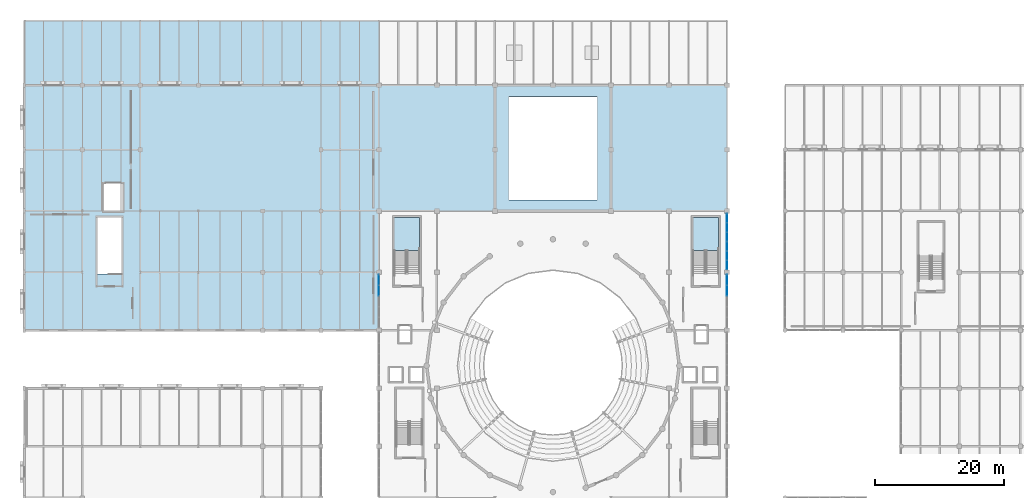
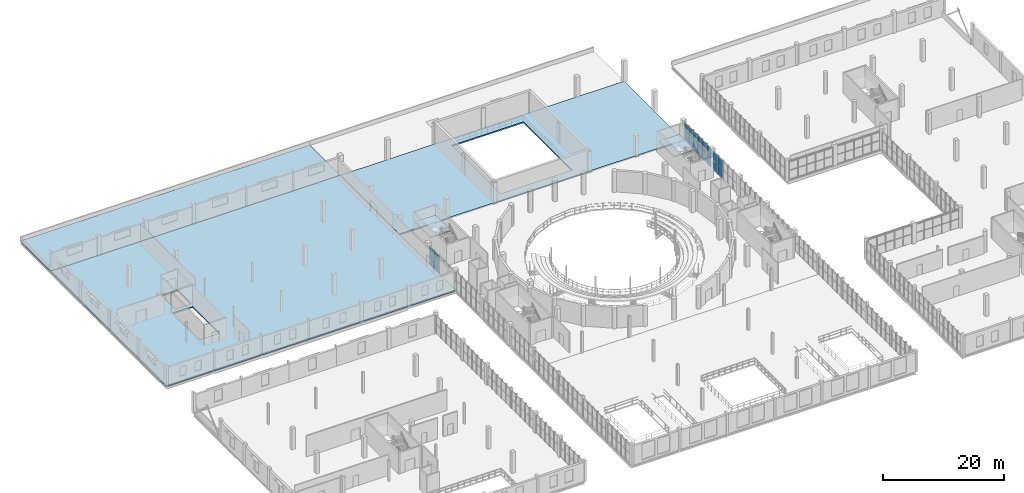
# One storey, part 55 of 85: 20 plates, 5 slabs, 5 elements without a shape of their own.
"""IFC4 building model written with IfcOpenShell, lengths in metres."""

from ifc_helpers import new_model, si_unit, direction, frame, origin, origin_2d, place, context, subcontext, project, spatial, polyline, rectangle, outline, extrude, material, layer, layer_set, type_object, element, aggregate, save


model = new_model("IFC4")

# Units and contexts
model_context = context("Model", 3, precision=1e-05, world=origin(), true_north=direction((0.0, 1.0)))
body_context = subcontext(model_context, "Body", "Model", "MODEL_VIEW")
ifc_project = project(units=[si_unit("LENGTHUNIT", "METRE"), si_unit("AREAUNIT", "SQUARE_METRE"), si_unit("VOLUMEUNIT", "CUBIC_METRE"), si_unit("PLANEANGLEUNIT", "RADIAN"), si_unit("MASSUNIT", "GRAM", prefix="KILO")], contexts=[model_context])

# Site, building, storey
site_placement = place(None, origin())
site = spatial("IfcSite", under=ifc_project, at=site_placement, CompositionType="ELEMENT")
building_placement = place(site_placement, origin())
building = spatial("IfcBuilding", under=site, at=building_placement, Name="Marnock Terrace Opera House", CompositionType="ELEMENT")
storey_placement = place(building_placement, frame((0.0, 0.0, 10.199951171875)))
storey = spatial("IfcBuildingStorey", under=building, at=storey_placement, Name="L02", CompositionType="ELEMENT", Elevation=10.199951171875)

# Curtain wall, plates
ifc_material_1 = material(Name="Anodised architectural bronze aluminium framing", Category="aluminium")
ifc_layer_1 = layer(ifc_material_1, 0.159912109375)
ifc_layer_set_1 = layer_set([ifc_layer_1], Name="Anodised architectural bronze aluminium framing")
curtain_wall_type = type_object("IfcCurtainWallType", Name="CW-FOYER-90x42", PredefinedType="NOTDEFINED", material=ifc_layer_set_1)
curtain_wall_1_placement = place(storey_placement, origin())
curtain_wall_1 = element("IfcCurtainWall", 1, at=curtain_wall_1_placement, inside=storey, type_object=curtain_wall_type, Name="L02 glazed Beaux-Arts colonnade curtain wall CW-V1E-L02-09", PredefinedType="NOTDEFINED")
ifc_material_2 = material(Name="Double-glazed acoustic low-E laminated glass", Category="glass")
ifc_layer_2 = layer(ifc_material_2, 0.028076171875)
ifc_layer_set_2 = layer_set([ifc_layer_2], Name="Double-glazed acoustic low-E laminated glass")
plate_type_1 = type_object("IfcPlateType", Name="CWP-GLZ-28", PredefinedType="CURTAIN_PANEL", material=ifc_layer_set_2)
plate_1_placement = place(storey_placement, frame((109.0, 76.11572265625, 0.06005859375), z_axis=(0.0, 0.0, 1.0), x_axis=(0.0, 1.0, 0.0)))
plate_1 = element("IfcPlate", 2, at=plate_1_placement, type_object=plate_type_1, Name="CW-68 panel 1.1", PredefinedType="CURTAIN_PANEL", context=body_context, shape_type="SweptSolid", body=[
    extrude(rectangle(XDim=1.36962890625, YDim=0.028076171875, at=origin_2d()), origin(), (0.0, 0.0, 1.0), 1.914306640625),
])
plate_2_placement = place(storey_placement, frame((109.0, 76.11572265625, 2.0341796875), z_axis=(0.0, 0.0, 1.0), x_axis=(0.0, 1.0, 0.0)))
plate_2 = element("IfcPlate", 3, at=plate_2_placement, type_object=plate_type_1, Name="CW-68 panel 1.2", PredefinedType="CURTAIN_PANEL", context=body_context, shape_type="SweptSolid", body=[
    extrude(rectangle(XDim=1.36962890625, YDim=0.028076171875, at=origin_2d()), origin(), (0.0, 0.0, 1.0), 1.760009765625),
])
plate_3_placement = place(storey_placement, frame((109.0, 77.560546875, 0.06005859375), z_axis=(0.0, 0.0, 1.0), x_axis=(0.0, 1.0, 0.0)))
plate_3 = element("IfcPlate", 4, at=plate_3_placement, type_object=plate_type_1, Name="CW-68 panel 2.1", PredefinedType="CURTAIN_PANEL", context=body_context, shape_type="SweptSolid", body=[
    extrude(rectangle(XDim=1.399658203125, YDim=0.028076171875, at=origin_2d()), origin(), (0.0, 0.0, 1.0), 1.914306640625),
])
plate_4_placement = place(storey_placement, frame((109.0, 77.560546875, 2.0341796875), z_axis=(0.0, 0.0, 1.0), x_axis=(0.0, 1.0, 0.0)))
plate_4 = element("IfcPlate", 5, at=plate_4_placement, type_object=plate_type_1, Name="CW-68 panel 2.2", PredefinedType="CURTAIN_PANEL", context=body_context, shape_type="SweptSolid", body=[
    extrude(rectangle(XDim=1.399658203125, YDim=0.028076171875, at=origin_2d()), origin(), (0.0, 0.0, 1.0), 1.760009765625),
])
plate_5_placement = place(storey_placement, frame((109.0, 79.020263671875, 0.06005859375), z_axis=(0.0, 0.0, 1.0), x_axis=(0.0, 1.0, 0.0)))
plate_5 = element("IfcPlate", 6, at=plate_5_placement, type_object=plate_type_1, Name="CW-68 panel 3.1", PredefinedType="CURTAIN_PANEL", context=body_context, shape_type="SweptSolid", body=[
    extrude(rectangle(XDim=1.399658203125, YDim=0.028076171875, at=origin_2d()), origin(), (0.0, 0.0, 1.0), 1.914306640625),
])
plate_6_placement = place(storey_placement, frame((109.0, 79.020263671875, 2.0341796875), z_axis=(0.0, 0.0, 1.0), x_axis=(0.0, 1.0, 0.0)))
plate_6 = element("IfcPlate", 7, at=plate_6_placement, type_object=plate_type_1, Name="CW-68 panel 3.2", PredefinedType="CURTAIN_PANEL", context=body_context, shape_type="SweptSolid", body=[
    extrude(rectangle(XDim=1.399658203125, YDim=0.028076171875, at=origin_2d()), origin(), (0.0, 0.0, 1.0), 1.760009765625),
])
plate_7_placement = place(storey_placement, frame((109.0, 80.479736328125, 0.06005859375), z_axis=(0.0, 0.0, 1.0), x_axis=(0.0, 1.0, 0.0)))
plate_7 = element("IfcPlate", 8, at=plate_7_placement, type_object=plate_type_1, Name="CW-68 panel 4.1", PredefinedType="CURTAIN_PANEL", context=body_context, shape_type="SweptSolid", body=[
    extrude(rectangle(XDim=1.399658203125, YDim=0.028076171875, at=origin_2d()), origin(), (0.0, 0.0, 1.0), 1.914306640625),
])
plate_8_placement = place(storey_placement, frame((109.0, 80.479736328125, 2.0341796875), z_axis=(0.0, 0.0, 1.0), x_axis=(0.0, 1.0, 0.0)))
plate_8 = element("IfcPlate", 9, at=plate_8_placement, type_object=plate_type_1, Name="CW-68 panel 4.2", PredefinedType="CURTAIN_PANEL", context=body_context, shape_type="SweptSolid", body=[
    extrude(rectangle(XDim=1.399658203125, YDim=0.028076171875, at=origin_2d()), origin(), (0.0, 0.0, 1.0), 1.760009765625),
])
plate_9_placement = place(storey_placement, frame((109.0, 81.939453125, 0.06005859375), z_axis=(0.0, 0.0, 1.0), x_axis=(0.0, 1.0, 0.0)))
plate_9 = element("IfcPlate", 10, at=plate_9_placement, type_object=plate_type_1, Name="CW-68 panel 5.1", PredefinedType="CURTAIN_PANEL", context=body_context, shape_type="SweptSolid", body=[
    extrude(rectangle(XDim=1.399658203125, YDim=0.028076171875, at=origin_2d()), origin(), (0.0, 0.0, 1.0), 1.914306640625),
])
plate_10_placement = place(storey_placement, frame((109.0, 81.939453125, 2.0341796875), z_axis=(0.0, 0.0, 1.0), x_axis=(0.0, 1.0, 0.0)))
plate_10 = element("IfcPlate", 11, at=plate_10_placement, type_object=plate_type_1, Name="CW-68 panel 5.2", PredefinedType="CURTAIN_PANEL", context=body_context, shape_type="SweptSolid", body=[
    extrude(rectangle(XDim=1.399658203125, YDim=0.028076171875, at=origin_2d()), origin(), (0.0, 0.0, 1.0), 1.760009765625),
])
plate_11_placement = place(storey_placement, frame((109.0, 83.38427734375, 0.06005859375), z_axis=(0.0, 0.0, 1.0), x_axis=(0.0, 1.0, 0.0)))
plate_11 = element("IfcPlate", 12, at=plate_11_placement, type_object=plate_type_1, Name="CW-68 panel 6.1", PredefinedType="CURTAIN_PANEL", context=body_context, shape_type="SweptSolid", body=[
    extrude(rectangle(XDim=1.36962890625, YDim=0.028076171875, at=origin_2d()), origin(), (0.0, 0.0, 1.0), 1.914306640625),
])
plate_12_placement = place(storey_placement, frame((109.0, 83.38427734375, 2.0341796875), z_axis=(0.0, 0.0, 1.0), x_axis=(0.0, 1.0, 0.0)))
plate_12 = element("IfcPlate", 13, at=plate_12_placement, type_object=plate_type_1, Name="CW-68 panel 6.2", PredefinedType="CURTAIN_PANEL", context=body_context, shape_type="SweptSolid", body=[
    extrude(rectangle(XDim=1.36962890625, YDim=0.028076171875, at=origin_2d()), origin(), (0.0, 0.0, 1.0), 1.760009765625),
])
aggregate(curtain_wall_1, [plate_1, plate_2, plate_3, plate_4, plate_5, plate_6, plate_7, plate_8, plate_9, plate_10, plate_11, plate_12])

curtain_wall_2_placement = place(storey_placement, origin())
curtain_wall_2 = element("IfcCurtainWall", 14, at=curtain_wall_2_placement, inside=storey, type_object=curtain_wall_type, Name="L02 glazed Beaux-Arts colonnade curtain wall CW-V1W-L02-08", PredefinedType="NOTDEFINED")
ifc_layer_3 = layer(ifc_material_1, 0.035888671875)
ifc_layer_set_3 = layer_set([ifc_layer_3], Name="Anodised architectural bronze aluminium framing")
plate_type_2 = type_object("IfcPlateType", Name="CWP-SPAND-36", PredefinedType="CURTAIN_PANEL", material=ifc_layer_set_3)
plate_13_placement = place(storey_placement, frame((55.0, 72.151611328125, 0.06005859375), z_axis=(0.0, 0.0, 1.0), x_axis=(0.0, 1.0, 0.0)))
plate_13 = element("IfcPlate", 15, at=plate_13_placement, type_object=plate_type_2, Name="CW-68 panel 4.1", PredefinedType="CURTAIN_PANEL", context=body_context, shape_type="SweptSolid", body=[
    extrude(rectangle(XDim=1.591552734375, YDim=0.028076171875, at=origin_2d()), origin(), (0.0, 0.0, 1.0), 1.781005859375),
])
plate_14_placement = place(storey_placement, frame((55.0, 72.151611328125, 1.90087890625), z_axis=(0.0, 0.0, 1.0), x_axis=(0.0, 1.0, 0.0)))
plate_14 = element("IfcPlate", 16, at=plate_14_placement, type_object=plate_type_2, Name="CW-68 panel 4.2", PredefinedType="CURTAIN_PANEL", context=body_context, shape_type="SweptSolid", body=[
    extrude(rectangle(XDim=1.591552734375, YDim=0.028076171875, at=origin_2d()), origin(), (0.0, 0.0, 1.0), 1.636962890625),
])
plate_15_placement = place(storey_placement, frame((55.0, 73.7880859375, 0.06005859375), z_axis=(0.0, 0.0, 1.0), x_axis=(0.0, 1.0, 0.0)))
plate_15 = element("IfcPlate", 17, at=plate_15_placement, type_object=plate_type_2, Name="CW-68 panel 5.1", PredefinedType="CURTAIN_PANEL", context=body_context, shape_type="SweptSolid", body=[
    extrude(rectangle(XDim=1.5615234375, YDim=0.028076171875, at=origin_2d()), origin(), (0.0, 0.0, 1.0), 1.781005859375),
])
plate_16_placement = place(storey_placement, frame((55.0, 73.7880859375, 1.90087890625), z_axis=(0.0, 0.0, 1.0), x_axis=(0.0, 1.0, 0.0)))
plate_16 = element("IfcPlate", 18, at=plate_16_placement, type_object=plate_type_2, Name="CW-68 panel 5.2", PredefinedType="CURTAIN_PANEL", context=body_context, shape_type="SweptSolid", body=[
    extrude(rectangle(XDim=1.5615234375, YDim=0.028076171875, at=origin_2d()), origin(), (0.0, 0.0, 1.0), 1.636962890625),
])
aggregate(curtain_wall_2, [plate_13, plate_14, plate_15, plate_16])

curtain_wall_3_placement = place(storey_placement, origin())
curtain_wall_3 = element("IfcCurtainWall", 19, at=curtain_wall_3_placement, inside=storey, type_object=curtain_wall_type, Name="L02 glazed Beaux-Arts colonnade curtain wall CW-V1E-L02-08", PredefinedType="NOTDEFINED")
plate_17_placement = place(storey_placement, frame((109.0, 72.151611328125, 0.06005859375), z_axis=(0.0, 0.0, 1.0), x_axis=(0.0, 1.0, 0.0)))
plate_17 = element("IfcPlate", 20, at=plate_17_placement, type_object=plate_type_2, Name="CW-68 panel 4.1", PredefinedType="CURTAIN_PANEL", context=body_context, shape_type="SweptSolid", body=[
    extrude(rectangle(XDim=1.591552734375, YDim=0.028076171875, at=origin_2d()), origin(), (0.0, 0.0, 1.0), 1.861328125),
])
plate_18_placement = place(storey_placement, frame((109.0, 72.151611328125, 1.9814453125), z_axis=(0.0, 0.0, 1.0), x_axis=(0.0, 1.0, 0.0)))
plate_18 = element("IfcPlate", 21, at=plate_18_placement, type_object=plate_type_2, Name="CW-68 panel 4.2", PredefinedType="CURTAIN_PANEL", context=body_context, shape_type="SweptSolid", body=[
    extrude(rectangle(XDim=1.591552734375, YDim=0.028076171875, at=origin_2d()), origin(), (0.0, 0.0, 1.0), 1.711181640625),
])
plate_19_placement = place(storey_placement, frame((109.0, 73.7880859375, 0.06005859375), z_axis=(0.0, 0.0, 1.0), x_axis=(0.0, 1.0, 0.0)))
plate_19 = element("IfcPlate", 22, at=plate_19_placement, type_object=plate_type_2, Name="CW-68 panel 5.1", PredefinedType="CURTAIN_PANEL", context=body_context, shape_type="SweptSolid", body=[
    extrude(rectangle(XDim=1.5615234375, YDim=0.028076171875, at=origin_2d()), origin(), (0.0, 0.0, 1.0), 1.861328125),
])
plate_20_placement = place(storey_placement, frame((109.0, 73.7880859375, 1.9814453125), z_axis=(0.0, 0.0, 1.0), x_axis=(0.0, 1.0, 0.0)))
plate_20 = element("IfcPlate", 23, at=plate_20_placement, type_object=plate_type_2, Name="CW-68 panel 5.2", PredefinedType="CURTAIN_PANEL", context=body_context, shape_type="SweptSolid", body=[
    extrude(rectangle(XDim=1.5615234375, YDim=0.028076171875, at=origin_2d()), origin(), (0.0, 0.0, 1.0), 1.711181640625),
])
aggregate(curtain_wall_3, [plate_17, plate_18, plate_19, plate_20])

# Slabs
ifc_material_3 = material(Name="Concrete N40 (f'c = 40 MPa)", Category="concrete")
ifc_layer_4 = layer(ifc_material_3, 0.260009765625)
ifc_layer_set_4 = layer_set([ifc_layer_4], Name="Concrete N40 (f'c = 40 MPa)")
slab_type_1 = type_object("IfcSlabType", Name="SL-FLR-260", PredefinedType="FLOOR", material=ifc_layer_set_4)
slab_1_placement = place(storey_placement, frame((0.0, 0.0, -0.260009765625)))
element("IfcSlab", 24, at=slab_1_placement, inside=storey, type_object=slab_type_1, Name="L02 Stage House structural slab", PredefinedType="FLOOR", context=body_context, shape_type="SweptSolid", body=[
    extrude(outline(polyline([(55.0, 84.5), (109.0, 84.5), (109.0, 104.0), (55.0, 104.0), (55.0, 84.5)]), holes=[polyline([(75.199951171875, 86.199951171875), (88.800048828125, 86.199951171875), (88.800048828125, 102.199951171875), (75.199951171875, 102.199951171875), (75.199951171875, 86.199951171875)])]), origin(), (0.0, 0.0, 1.0), 0.260009765625),
])
slab_2_placement = place(storey_placement, frame((0.0, 0.0, -0.260009765625)))
element("IfcSlab", 25, at=slab_2_placement, inside=storey, type_object=slab_type_1, Name="L02 Workshops Wing structural floor slab", PredefinedType="FLOOR", context=body_context, shape_type="SweptSolid", body=[
    extrude(outline(polyline([(0.0, 66.0), (55.0, 66.0), (55.0, 104.0), (0.0, 104.0), (0.0, 66.0)]), holes=[polyline([(15.1201171875, 74.719970703125), (15.1201171875, 83.52001953125), (11.320068359375, 83.52001953125), (11.320068359375, 74.719970703125), (15.1201171875, 74.719970703125)]), polyline([(12.280029296875, 84.3798828125), (15.320068359375, 84.3798828125), (15.320068359375, 88.820068359375), (12.280029296875, 88.820068359375), (12.280029296875, 84.3798828125)])]), origin(), (0.0, 0.0, 1.0), 0.260009765625),
])

# Stair, slab
stair_type = type_object("IfcStairType", Name="ST-TYPE-2400", PredefinedType="HALF_TURN_STAIR", material=ifc_material_3)
stair_1_placement = place(storey_placement, origin())
stair_1 = element("IfcStair", 26, at=stair_1_placement, inside=storey, type_object=stair_type, Name="L02 ST-03", PredefinedType="HALF_TURN_STAIR")
ifc_material_4 = material(Name="Concrete N32 (f'c = 32 MPa)", Category="concrete")
ifc_layer_5 = layer(ifc_material_4, 0.199951171875)
ifc_layer_set_5 = layer_set([ifc_layer_5], Name="Concrete N32 (f'c = 32 MPa)")
slab_type_2 = type_object("IfcSlabType", Name="SL-LAND-200", PredefinedType="LANDING", material=ifc_layer_set_5)
slab_3_placement = place(storey_placement, frame((0.0, 0.0, 2.050048828125)))
slab_3 = element("IfcSlab", 27, at=slab_3_placement, type_object=slab_type_2, Name="ST-03 landing 1", PredefinedType="LANDING", context=body_context, shape_type="SweptSolid", body=[
    extrude(outline(polyline([(61.320068359375, 78.39990234375), (61.320068359375, 83.52001953125), (57.360107421875, 83.52001953125), (57.360107421875, 78.39990234375), (61.320068359375, 78.39990234375)])), origin(), (0.0, 0.0, 1.0), 0.199951171875),
])
aggregate(stair_1, [slab_3])

stair_2_placement = place(storey_placement, origin())
stair_2 = element("IfcStair", 28, at=stair_2_placement, inside=storey, type_object=stair_type, Name="L02 ST-04", PredefinedType="HALF_TURN_STAIR")
slab_4_placement = place(storey_placement, frame((0.0, 0.0, 2.050048828125)))
slab_4 = element("IfcSlab", 29, at=slab_4_placement, type_object=slab_type_2, Name="ST-04 landing 1", PredefinedType="LANDING", context=body_context, shape_type="SweptSolid", body=[
    extrude(outline(polyline([(107.679931640625, 78.39990234375), (107.679931640625, 83.52001953125), (103.719970703125, 83.52001953125), (103.719970703125, 78.39990234375), (107.679931640625, 78.39990234375)])), origin(), (0.0, 0.0, 1.0), 0.199951171875),
])
aggregate(stair_2, [slab_4])

# Slab
ifc_layer_6 = layer(ifc_material_3, 0.219970703125)
ifc_layer_set_6 = layer_set([ifc_layer_6], Name="Concrete N40 (f'c = 40 MPa)")
slab_type_3 = type_object("IfcSlabType", Name="SL-ROOF-220", PredefinedType="ROOF", material=ifc_layer_set_6)
slab_5_placement = place(storey_placement, frame((0.0, 0.0, -0.219970703125)))
element("IfcSlab", 30, at=slab_5_placement, inside=storey, type_object=slab_type_3, Name="L02 structural roof slab SL-ROOF-V4-STEP", PredefinedType="ROOF", context=body_context, shape_type="SweptSolid", body=[
    extrude(outline(polyline([(0.0, 104.0), (55.0, 104.0), (55.0, 114.0), (0.0, 114.0), (0.0, 104.0)])), origin(), (0.0, 0.0, 1.0), 0.219970703125),
])

save(model, "model.ifc")
